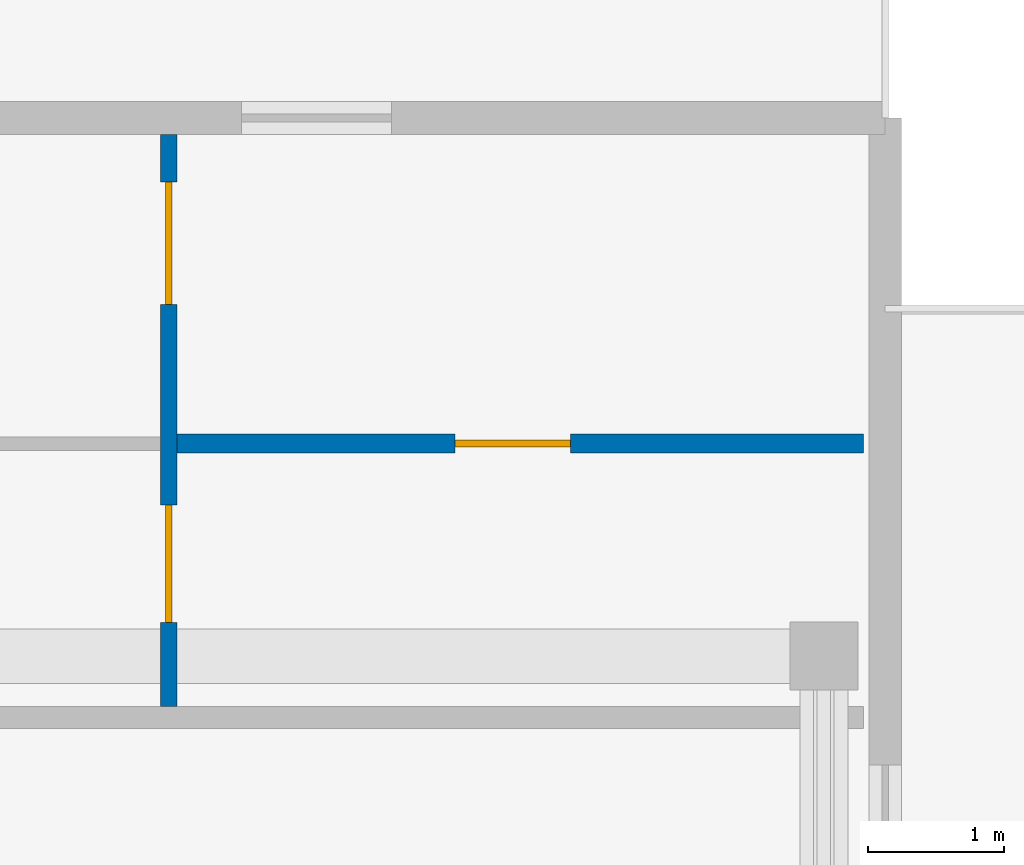
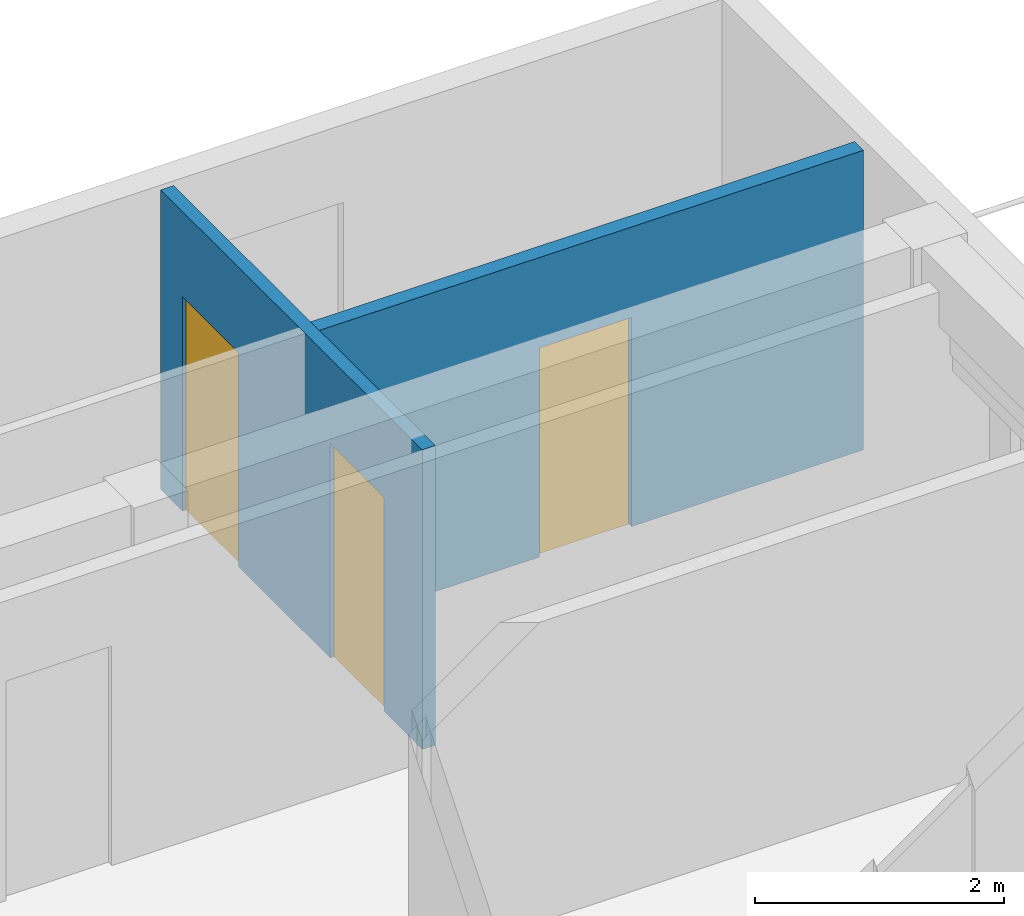
# One storey, part 28 of 39: 3 doors, 2 walls, 3 openings.
"""IFC4 building model written with IfcOpenShell, lengths in metres."""

from ifc_helpers import new_model, si_unit, direction, frame, frame_2d, origin, place, context, subcontext, project, spatial, rectangle, extrude, material, layer, layer_set, type_object, element, fill, save


model = new_model("IFC4")

# Units and contexts
model_context = context("Model", 3, precision=1e-05, world=origin(), true_north=direction((0.0, 1.0)))
body_context = subcontext(model_context, "Body", "Model", "MODEL_VIEW")
ifc_project = project(units=[si_unit("LENGTHUNIT", "METRE"), si_unit("AREAUNIT", "SQUARE_METRE"), si_unit("VOLUMEUNIT", "CUBIC_METRE"), si_unit("PLANEANGLEUNIT", "RADIAN"), si_unit("MASSUNIT", "GRAM", prefix="KILO")], contexts=[model_context])

# Site, building, storey
site_placement = place(None, origin())
site = spatial("IfcSite", under=ifc_project, at=site_placement, CompositionType="ELEMENT")
building_placement = place(site_placement, origin())
building = spatial("IfcBuilding", under=site, at=building_placement, Name="Keldmere Railside Commons", CompositionType="ELEMENT")
storey_placement = place(building_placement, frame((0.0, 0.0, 32.9599609375)))
storey = spatial("IfcBuildingStorey", under=building, at=storey_placement, Name="L10", CompositionType="ELEMENT", Elevation=32.9599609375)

# Wall, openings, doors
ifc_material_1 = material(Name="Acoustic Gypsum Board Partition", Category="gypsum")
ifc_layer_1 = layer(ifc_material_1, 0.1201171875, Name="Apartment Interior Partition 120")
ifc_layer_set_1 = layer_set([ifc_layer_1], Name="Acoustic Gypsum Board Partition")
wall_type_1 = type_object("IfcWallType", Name="Apartment Interior Partition 120", PredefinedType="PARTITIONING", material=ifc_layer_set_1)
wall_1_placement = place(storey_placement, frame((178.739990234375, 109.280029296875, 0.0), z_axis=(0.0, 0.0, 1.0), x_axis=(0.0, 1.0, 0.0)))
wall_1 = element("IfcWall", 1, at=wall_1_placement, inside=storey, type_object=wall_type_1, Name="IW-4 IW-L10-1839", PredefinedType="PARTITIONING", context=body_context, shape_type="SweptSolid", body=[
    extrude(rectangle(XDim=4.199951171875, YDim=0.1201171875, at=frame_2d((2.10009765625, 0.0))), origin(), (0.0, 0.0, 1.0), 2.93505859375),
])
opening_1_placement = place(wall_1_placement, frame((0.61767578125, 0.0, 0.0)))
opening_1 = element("IfcOpeningElement", 2, at=opening_1_placement, cuts=wall_1, Name="Opening ID-04", PredefinedType="OPENING", context=body_context, shape_type="SweptSolid", body=[
    extrude(rectangle(XDim=0.860107421875, YDim=2.10009765625, at=frame_2d((0.43017578125, 1.050048828125))), frame((0.0, 0.070068359375, 0.0), z_axis=(0.0, -1.0, 0.0), x_axis=(1.0, 0.0, 0.0)), (0.0, 0.0, 1.0), 0.14013671875),
])
opening_2_placement = place(wall_1_placement, frame((2.951416015625, 0.0, 0.0)))
opening_2 = element("IfcOpeningElement", 3, at=opening_2_placement, cuts=wall_1, Name="Opening ID-01", PredefinedType="OPENING", context=body_context, shape_type="SweptSolid", body=[
    extrude(rectangle(XDim=0.89990234375, YDim=2.10009765625, at=frame_2d((0.449951171875, 1.050048828125))), frame((0.0, 0.070068359375, 0.0), z_axis=(0.0, -1.0, 0.0), x_axis=(1.0, 0.0, 0.0)), (0.0, 0.0, 1.0), 0.14013671875),
])
ifc_material_2 = material(Name="Engineered Oak Timber", Category="wood")
door_type_1 = type_object("IfcDoorType", Name="Apartment Bathroom Door 860x2100", OperationType="NOTDEFINED", PredefinedType="DOOR", material=ifc_material_2)
door_1_placement = place(opening_1_placement, origin())
door_1 = element("IfcDoor", 4, at=door_1_placement, inside=storey, type_object=door_type_1, Name="ID-04 IDR-L10-1684", OperationType="SINGLE_SWING_RIGHT", OverallHeight=2.10009765625, OverallWidth=0.860107421875, PredefinedType="DOOR", context=body_context, shape_type="SweptSolid", body=[
    extrude(rectangle(XDim=0.860107421875, YDim=2.10009765625, at=frame_2d((0.43017578125, 1.050048828125))), frame((0.0, 0.02490234375, 0.0), z_axis=(0.0, -1.0, 0.0), x_axis=(1.0, 0.0, 0.0)), (0.0, 0.0, 1.0), 0.050048828125),
])
fill(opening_1, door_1)
door_type_2 = type_object("IfcDoorType", Name="Primary Bedroom Door 900x2100", OperationType="NOTDEFINED", PredefinedType="DOOR", material=ifc_material_2)
door_2_placement = place(opening_2_placement, origin())
door_2 = element("IfcDoor", 5, at=door_2_placement, inside=storey, type_object=door_type_2, Name="ID-01 IDR-L10-1685", OperationType="SINGLE_SWING_LEFT", OverallHeight=2.10009765625, OverallWidth=0.89990234375, PredefinedType="DOOR", context=body_context, shape_type="SweptSolid", body=[
    extrude(rectangle(XDim=0.89990234375, YDim=2.10009765625, at=frame_2d((0.449951171875, 1.050048828125))), frame((0.0, 0.02490234375, 0.0), z_axis=(0.0, -1.0, 0.0), x_axis=(1.0, 0.0, 0.0)), (0.0, 0.0, 1.0), 0.050048828125),
])
fill(opening_2, door_2)

# Wall, opening, door
ifc_layer_2 = layer(ifc_material_1, 0.139892578125, Name="Wet-Room Sanitary Partition 140")
ifc_layer_set_2 = layer_set([ifc_layer_2], Name="Acoustic Gypsum Board Partition")
wall_type_2 = type_object("IfcWallType", Name="Wet-Room Sanitary Partition 140", PredefinedType="PARTITIONING", material=ifc_layer_set_2)
wall_2_placement = place(storey_placement, frame((178.800048828125, 111.2099609375, 0.0), z_axis=(0.0, 0.0, 1.0), x_axis=(1.0, 0.0, 0.0)))
wall_2 = element("IfcWall", 6, at=wall_2_placement, inside=storey, type_object=wall_type_2, Name="IW-5 IW-L10-1840", PredefinedType="PARTITIONING", context=body_context, shape_type="SweptSolid", body=[
    extrude(rectangle(XDim=5.0400390625, YDim=0.139892578125, at=frame_2d((2.52001953125, 0.0))), origin(), (0.0, 0.0, 1.0), 2.93505859375),
])
opening_3_placement = place(wall_2_placement, frame((2.0400390625, 0.0, 0.0)))
opening_3 = element("IfcOpeningElement", 7, at=opening_3_placement, cuts=wall_2, Name="Opening ID-06", PredefinedType="OPENING", context=body_context, shape_type="SweptSolid", body=[
    extrude(rectangle(XDim=0.85009765625, YDim=2.050048828125, at=frame_2d((0.425048828125, 1.02490234375))), frame((0.0, 0.079833984375, 0.0), z_axis=(0.0, -1.0, 0.0), x_axis=(1.0, 0.0, 0.0)), (0.0, 0.0, 1.0), 0.159912109375),
])
door_type_3 = type_object("IfcDoorType", Name="Storage Closet Door 850x2050", OperationType="NOTDEFINED", PredefinedType="DOOR", material=ifc_material_2)
door_3_placement = place(opening_3_placement, origin())
door_3 = element("IfcDoor", 8, at=door_3_placement, inside=storey, type_object=door_type_3, Name="ID-06 IDR-L10-1686", OperationType="SINGLE_SWING_RIGHT", OverallHeight=2.050048828125, OverallWidth=0.85009765625, PredefinedType="DOOR", context=body_context, shape_type="SweptSolid", body=[
    extrude(rectangle(XDim=0.85009765625, YDim=2.050048828125, at=frame_2d((0.425048828125, 1.02490234375))), frame((0.0, 0.02490234375, 0.0), z_axis=(0.0, -1.0, 0.0), x_axis=(1.0, 0.0, 0.0)), (0.0, 0.0, 1.0), 0.050048828125),
])
fill(opening_3, door_3)

save(model, "model.ifc")
